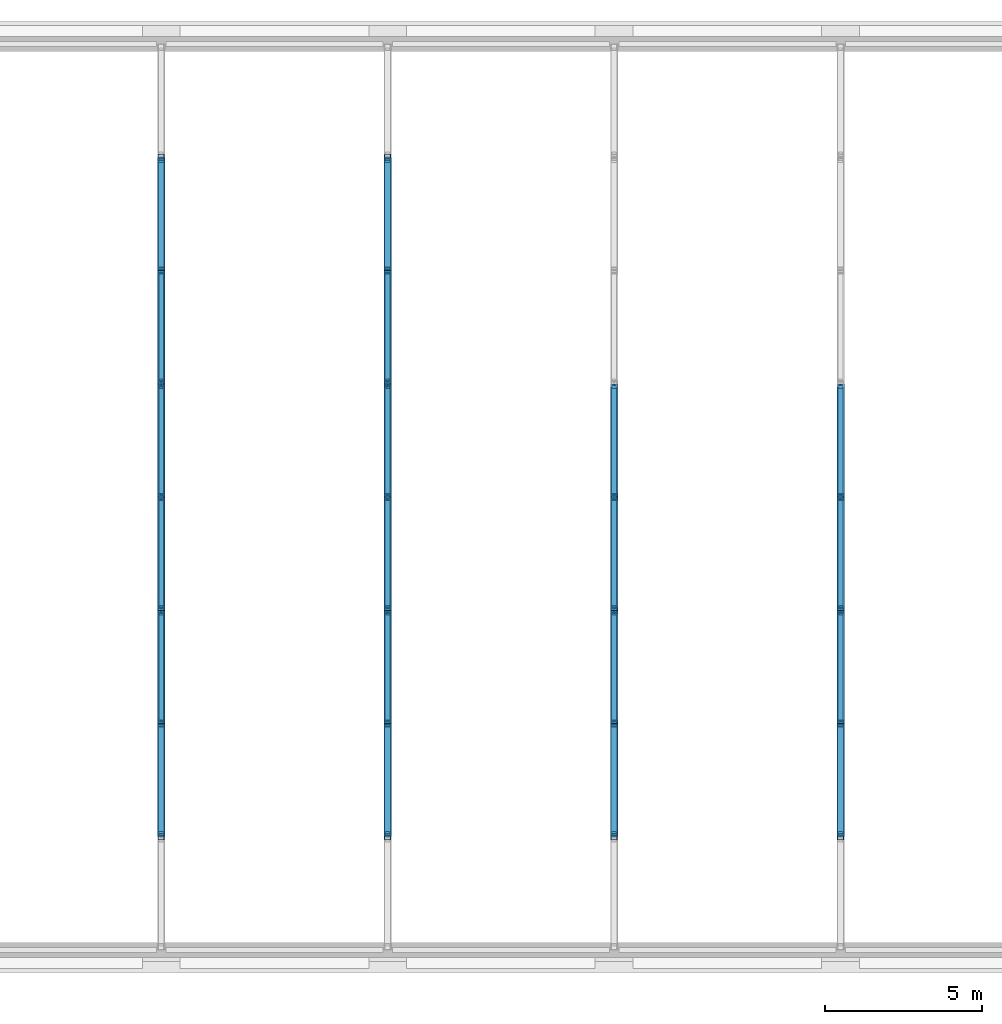
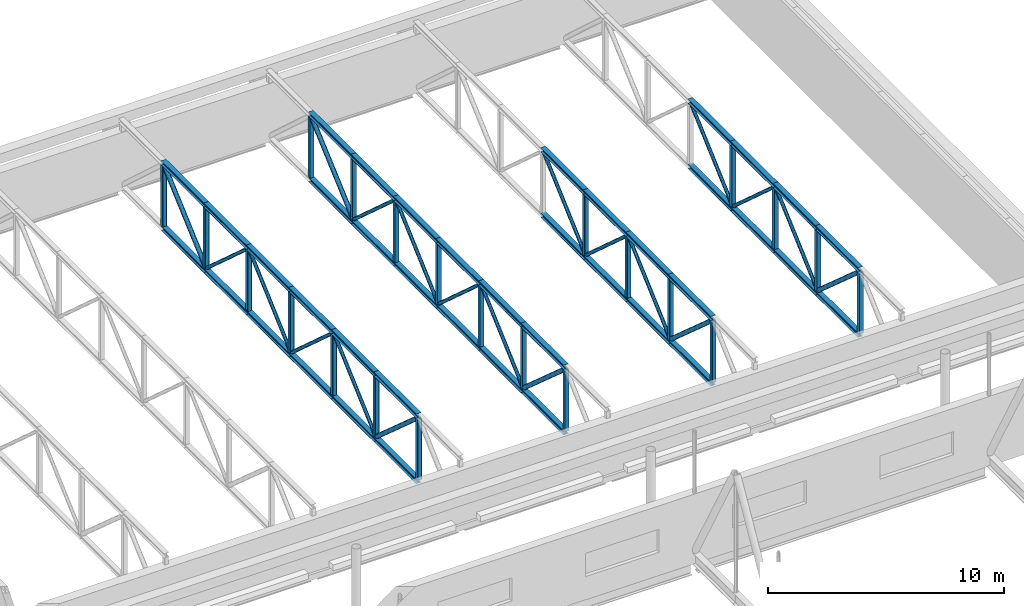
# One storey, part 77 of 142: 82 members.
"""IFC4 building model written with IfcOpenShell, lengths in metres."""

from ifc_helpers import new_model, si_unit, direction, frame, origin, origin_2d, place, context, subcontext, project, spatial, hollow_rectangle, hollow_circle, i_section, extrude, material, material_profile, profile_set, type_object, element, save


model = new_model("IFC4")

# Units and contexts
model_context = context("Model", 3, precision=1e-05, world=origin(), true_north=direction((0.0, 1.0)))
body_context = subcontext(model_context, "Body", "Model", "MODEL_VIEW")
ifc_project = project(units=[si_unit("LENGTHUNIT", "METRE"), si_unit("AREAUNIT", "SQUARE_METRE"), si_unit("VOLUMEUNIT", "CUBIC_METRE"), si_unit("PLANEANGLEUNIT", "RADIAN"), si_unit("MASSUNIT", "GRAM", prefix="KILO")], contexts=[model_context])

# Site, building, storey
site_placement = place(None, origin())
site = spatial("IfcSite", under=ifc_project, at=site_placement, CompositionType="ELEMENT")
building_placement = place(site_placement, origin())
building = spatial("IfcBuilding", under=site, at=building_placement, Name="Kupolbacken Congress Centre", CompositionType="ELEMENT")
storey_placement = place(building_placement, frame((0.0, 0.0, 14.39990234375)))
storey = spatial("IfcBuildingStorey", under=building, at=storey_placement, Name="L04", CompositionType="ELEMENT", Elevation=14.39990234375)

# Members
ifc_material_1 = material(Name="Steel S355", Category="steel")
ifc_material_profile_1 = material_profile(ifc_material_1, hollow_circle(Radius=0.109619140625, WallThickness=0.010009765625, at=origin_2d()), Name="CHS 219.1 x 10")
ifc_profile_set_1 = profile_set([ifc_material_profile_1], Name="Steel S355")
member_type_1 = type_object("IfcMemberType", Name="M05 transfer truss web CHS 219.1 x 10", PredefinedType="BRACE", material=ifc_profile_set_1)
for number, where, z_axis, x_axis, name in (
    (1, (172.800048828125, 126.10009765625, 3.2998046875), (0.0, 0.748813846758, -0.662780373053), (-1.0, 0.0, 0.0), "BT/B4/D02"),
    (2, (172.800048828125, 144.10009765625, 0.29052734375), (0.0, 0.748813846758, 0.662780373053), (-1.0, 0.0, 0.0), "BT/B4/D07"),
    (3, (180.0, 126.10009765625, 3.2998046875), (0.0, 0.748813846758, -0.662780373053), (-1.0, 0.0, 0.0), "BT/B5/D02"),
    (4, (180.0, 144.10009765625, 0.29052734375), (0.0, 0.748813846758, 0.662780373053), (-1.0, 0.0, 0.0), "BT/B5/D07"),
    (5, (187.199951171875, 126.10009765625, 3.2998046875), (0.0, 0.748813846758, -0.662780373053), (-1.0, 0.0, 0.0), "BT/B6/D02"),
    (6, (194.39990234375, 126.10009765625, 3.2998046875), (0.0, 0.748813846758, -0.662780373053), (-1.0, 0.0, 0.0), "BT/B7/D02"),
):
    element("IfcMember", number, at=place(storey_placement, frame(where, z_axis=z_axis, x_axis=x_axis)), inside=storey, type_object=member_type_1, Name=name, PredefinedType="BRACE", context=body_context, shape_type="SweptSolid", body=[
        extrude(hollow_circle(Radius=0.109619140625, WallThickness=0.010009765625, at=origin_2d()), origin(), (0.0, 0.0, 1.0), 4.540283203125),
    ])
ifc_material_2 = material(Name="Steel S355", Category="steel")
ifc_material_profile_2 = material_profile(ifc_material_2, hollow_circle(Radius=0.084228515625, WallThickness=0.008056640625, at=origin_2d()), Name="CHS 168.3 x 8")
ifc_profile_set_2 = profile_set([ifc_material_profile_2], Name="Steel S355")
member_type_2 = type_object("IfcMemberType", Name="M06 transfer truss web CHS 168.3 x 8", PredefinedType="BRACE", material=ifc_profile_set_2)
member_1_placement = place(storey_placement, frame((172.800048828125, 129.699951171875, 0.271728515625), z_axis=(0.0, 0.744762797892, 0.667329285193), x_axis=(-1.0, 0.0, 0.0)))
element("IfcMember", 7, at=member_1_placement, inside=storey, type_object=member_type_2, Name="BT/B4/D03", PredefinedType="BRACE", context=body_context, shape_type="SweptSolid", body=[
    extrude(hollow_circle(Radius=0.084228515625, WallThickness=0.008056640625, at=origin_2d()), origin(), (0.0, 0.0, 1.0), 4.5654296875),
])
member_2_placement = place(storey_placement, frame((172.800048828125, 133.300048828125, 3.318359375), z_axis=(0.0, 0.744738982007, -0.667355863598), x_axis=(-1.0, 0.0, 0.0)))
element("IfcMember", 8, at=member_2_placement, inside=storey, type_object=member_type_2, Name="BT/B4/D04", PredefinedType="BRACE", context=body_context, shape_type="SweptSolid", body=[
    extrude(hollow_circle(Radius=0.084228515625, WallThickness=0.008056640625, at=origin_2d()), origin(), (0.0, 0.0, 1.0), 4.565185546875),
])
member_3_placement = place(storey_placement, frame((172.800048828125, 136.89990234375, 0.271728515625), z_axis=(0.0, 0.744762797892, 0.667329285193), x_axis=(-1.0, 0.0, 0.0)))
element("IfcMember", 9, at=member_3_placement, inside=storey, type_object=member_type_2, Name="BT/B4/D05", PredefinedType="BRACE", context=body_context, shape_type="SweptSolid", body=[
    extrude(hollow_circle(Radius=0.084228515625, WallThickness=0.008056640625, at=origin_2d()), origin(), (0.0, 0.0, 1.0), 4.5654296875),
])
member_4_placement = place(storey_placement, frame((172.800048828125, 140.5, 3.318359375), z_axis=(0.0, 0.744738982007, -0.667355863598), x_axis=(-1.0, 0.0, 0.0)))
element("IfcMember", 10, at=member_4_placement, inside=storey, type_object=member_type_2, Name="BT/B4/D06", PredefinedType="BRACE", context=body_context, shape_type="SweptSolid", body=[
    extrude(hollow_circle(Radius=0.084228515625, WallThickness=0.008056640625, at=origin_2d()), origin(), (0.0, 0.0, 1.0), 4.565185546875),
])
member_5_placement = place(storey_placement, frame((180.0, 129.699951171875, 0.271728515625), z_axis=(0.0, 0.744762797892, 0.667329285193), x_axis=(-1.0, 0.0, 0.0)))
element("IfcMember", 11, at=member_5_placement, inside=storey, type_object=member_type_2, Name="BT/B5/D03", PredefinedType="BRACE", context=body_context, shape_type="SweptSolid", body=[
    extrude(hollow_circle(Radius=0.084228515625, WallThickness=0.008056640625, at=origin_2d()), origin(), (0.0, 0.0, 1.0), 4.5654296875),
])
member_6_placement = place(storey_placement, frame((180.0, 133.300048828125, 3.318359375), z_axis=(0.0, 0.744738982007, -0.667355863598), x_axis=(-1.0, 0.0, 0.0)))
element("IfcMember", 12, at=member_6_placement, inside=storey, type_object=member_type_2, Name="BT/B5/D04", PredefinedType="BRACE", context=body_context, shape_type="SweptSolid", body=[
    extrude(hollow_circle(Radius=0.084228515625, WallThickness=0.008056640625, at=origin_2d()), origin(), (0.0, 0.0, 1.0), 4.565185546875),
])
member_7_placement = place(storey_placement, frame((180.0, 136.89990234375, 0.271728515625), z_axis=(0.0, 0.744762797892, 0.667329285193), x_axis=(-1.0, 0.0, 0.0)))
element("IfcMember", 13, at=member_7_placement, inside=storey, type_object=member_type_2, Name="BT/B5/D05", PredefinedType="BRACE", context=body_context, shape_type="SweptSolid", body=[
    extrude(hollow_circle(Radius=0.084228515625, WallThickness=0.008056640625, at=origin_2d()), origin(), (0.0, 0.0, 1.0), 4.5654296875),
])
member_8_placement = place(storey_placement, frame((180.0, 140.5, 3.318359375), z_axis=(0.0, 0.744738982007, -0.667355863598), x_axis=(-1.0, 0.0, 0.0)))
element("IfcMember", 14, at=member_8_placement, inside=storey, type_object=member_type_2, Name="BT/B5/D06", PredefinedType="BRACE", context=body_context, shape_type="SweptSolid", body=[
    extrude(hollow_circle(Radius=0.084228515625, WallThickness=0.008056640625, at=origin_2d()), origin(), (0.0, 0.0, 1.0), 4.565185546875),
])
member_9_placement = place(storey_placement, frame((187.199951171875, 129.699951171875, 0.271728515625), z_axis=(0.0, 0.744762797892, 0.667329285193), x_axis=(-1.0, 0.0, 0.0)))
element("IfcMember", 15, at=member_9_placement, inside=storey, type_object=member_type_2, Name="BT/B6/D03", PredefinedType="BRACE", context=body_context, shape_type="SweptSolid", body=[
    extrude(hollow_circle(Radius=0.084228515625, WallThickness=0.008056640625, at=origin_2d()), origin(), (0.0, 0.0, 1.0), 4.5654296875),
])
member_10_placement = place(storey_placement, frame((187.199951171875, 133.300048828125, 3.318359375), z_axis=(0.0, 0.744738982007, -0.667355863598), x_axis=(-1.0, 0.0, 0.0)))
element("IfcMember", 16, at=member_10_placement, inside=storey, type_object=member_type_2, Name="BT/B6/D04", PredefinedType="BRACE", context=body_context, shape_type="SweptSolid", body=[
    extrude(hollow_circle(Radius=0.084228515625, WallThickness=0.008056640625, at=origin_2d()), origin(), (0.0, 0.0, 1.0), 4.565185546875),
])
for number, where, z_axis, x_axis, name in (
    (17, (187.199951171875, 136.89990234375, 0.271728515625), (0.0, 0.744762797892, 0.667329285193), (-1.0, 0.0, 0.0), "BT/B6/D05"),
    (18, (194.39990234375, 129.699951171875, 0.271728515625), (0.0, 0.744762797892, 0.667329285193), (-1.0, 0.0, 0.0), "BT/B7/D03"),
):
    element("IfcMember", number, at=place(storey_placement, frame(where, z_axis=z_axis, x_axis=x_axis)), inside=storey, type_object=member_type_2, Name=name, PredefinedType="BRACE", context=body_context, shape_type="SweptSolid", body=[
        extrude(hollow_circle(Radius=0.084228515625, WallThickness=0.008056640625, at=origin_2d()), origin(), (0.0, 0.0, 1.0), 4.5654296875),
    ])
member_11_placement = place(storey_placement, frame((194.39990234375, 133.300048828125, 3.318359375), z_axis=(0.0, 0.744738982007, -0.667355863598), x_axis=(-1.0, 0.0, 0.0)))
element("IfcMember", 19, at=member_11_placement, inside=storey, type_object=member_type_2, Name="BT/B7/D04", PredefinedType="BRACE", context=body_context, shape_type="SweptSolid", body=[
    extrude(hollow_circle(Radius=0.084228515625, WallThickness=0.008056640625, at=origin_2d()), origin(), (0.0, 0.0, 1.0), 4.565185546875),
])
member_12_placement = place(storey_placement, frame((194.39990234375, 136.89990234375, 0.271728515625), z_axis=(0.0, 0.744762797892, 0.667329285193), x_axis=(-1.0, 0.0, 0.0)))
element("IfcMember", 20, at=member_12_placement, inside=storey, type_object=member_type_2, Name="BT/B7/D05", PredefinedType="BRACE", context=body_context, shape_type="SweptSolid", body=[
    extrude(hollow_circle(Radius=0.084228515625, WallThickness=0.008056640625, at=origin_2d()), origin(), (0.0, 0.0, 1.0), 4.5654296875),
])
ifc_material_3 = material(Name="Steel S355", Category="steel")
ifc_material_profile_3 = material_profile(ifc_material_3, i_section(OverallWidth=0.239990234375, OverallDepth=0.22998046875, WebThickness=0.007568359375, FlangeThickness=0.011962890625, FilletRadius=0.02099609375, at=origin_2d()), Name="HEA 240")
ifc_profile_set_3 = profile_set([ifc_material_profile_3], Name="Steel S355")
member_type_3 = type_object("IfcMemberType", Name="M07 transfer truss chord HEA 240", PredefinedType="CHORD", material=ifc_profile_set_3)
for number, where, z_axis, x_axis, name in (
    (21, (172.800048828125, 126.0, 0.10498046875), (0.0, 1.0, 0.0), (-1.0, 0.0, 0.0), "BT/B4/BC02"),
    (22, (172.800048828125, 126.0, 3.485107421875), (0.0, 1.0, 0.0), (-1.0, 0.0, 0.0), "BT/B4/TC02"),
):
    element("IfcMember", number, at=place(storey_placement, frame(where, z_axis=z_axis, x_axis=x_axis)), inside=storey, type_object=member_type_3, Name=name, PredefinedType="CHORD", context=body_context, shape_type="SweptSolid", body=[
        extrude(i_section(OverallWidth=0.239990234375, OverallDepth=0.22998046875, WebThickness=0.007568359375, FlangeThickness=0.011962890625, FilletRadius=0.02099609375, at=origin_2d()), origin(), (0.0, 0.0, 1.0), 3.60009765625),
    ])
for number, where, z_axis, x_axis, name in (
    (23, (172.800048828125, 129.60009765625, 0.10498046875), (0.0, 1.0, 0.0), (-1.0, 0.0, 0.0), "BT/B4/BC03"),
    (24, (172.800048828125, 129.60009765625, 3.485107421875), (0.0, 1.0, 0.0), (-1.0, 0.0, 0.0), "BT/B4/TC03"),
):
    element("IfcMember", number, at=place(storey_placement, frame(where, z_axis=z_axis, x_axis=x_axis)), inside=storey, type_object=member_type_3, Name=name, PredefinedType="CHORD", context=body_context, shape_type="SweptSolid", body=[
        extrude(i_section(OverallWidth=0.239990234375, OverallDepth=0.22998046875, WebThickness=0.007568359375, FlangeThickness=0.011962890625, FilletRadius=0.02099609375, at=origin_2d()), origin(), (0.0, 0.0, 1.0), 3.599853515625),
    ])
for number, where, z_axis, x_axis, name in (
    (25, (172.800048828125, 133.199951171875, 0.10498046875), (0.0, 1.0, 0.0), (-1.0, 0.0, 0.0), "BT/B4/BC04"),
    (26, (172.800048828125, 133.199951171875, 3.485107421875), (0.0, 1.0, 0.0), (-1.0, 0.0, 0.0), "BT/B4/TC04"),
):
    element("IfcMember", number, at=place(storey_placement, frame(where, z_axis=z_axis, x_axis=x_axis)), inside=storey, type_object=member_type_3, Name=name, PredefinedType="CHORD", context=body_context, shape_type="SweptSolid", body=[
        extrude(i_section(OverallWidth=0.239990234375, OverallDepth=0.22998046875, WebThickness=0.007568359375, FlangeThickness=0.011962890625, FilletRadius=0.02099609375, at=origin_2d()), origin(), (0.0, 0.0, 1.0), 3.60009765625),
    ])
for number, where, z_axis, x_axis, name in (
    (27, (172.800048828125, 136.800048828125, 0.10498046875), (0.0, 1.0, 0.0), (-1.0, 0.0, 0.0), "BT/B4/BC05"),
    (28, (172.800048828125, 136.800048828125, 3.485107421875), (0.0, 1.0, 0.0), (-1.0, 0.0, 0.0), "BT/B4/TC05"),
):
    element("IfcMember", number, at=place(storey_placement, frame(where, z_axis=z_axis, x_axis=x_axis)), inside=storey, type_object=member_type_3, Name=name, PredefinedType="CHORD", context=body_context, shape_type="SweptSolid", body=[
        extrude(i_section(OverallWidth=0.239990234375, OverallDepth=0.22998046875, WebThickness=0.007568359375, FlangeThickness=0.011962890625, FilletRadius=0.02099609375, at=origin_2d()), origin(), (0.0, 0.0, 1.0), 3.599853515625),
    ])
for number, where, z_axis, x_axis, name in (
    (29, (172.800048828125, 140.39990234375, 0.10498046875), (0.0, 1.0, 0.0), (-1.0, 0.0, 0.0), "BT/B4/BC06"),
    (30, (172.800048828125, 140.39990234375, 3.485107421875), (0.0, 1.0, 0.0), (-1.0, 0.0, 0.0), "BT/B4/TC06"),
    (31, (172.800048828125, 144.0, 0.10498046875), (0.0, 1.0, 0.0), (-1.0, 0.0, 0.0), "BT/B4/BC07"),
    (32, (172.800048828125, 144.0, 3.485107421875), (0.0, 1.0, 0.0), (-1.0, 0.0, 0.0), "BT/B4/TC07"),
    (33, (180.0, 126.0, 0.10498046875), (0.0, 1.0, 0.0), (-1.0, 0.0, 0.0), "BT/B5/BC02"),
    (34, (180.0, 126.0, 3.485107421875), (0.0, 1.0, 0.0), (-1.0, 0.0, 0.0), "BT/B5/TC02"),
):
    element("IfcMember", number, at=place(storey_placement, frame(where, z_axis=z_axis, x_axis=x_axis)), inside=storey, type_object=member_type_3, Name=name, PredefinedType="CHORD", context=body_context, shape_type="SweptSolid", body=[
        extrude(i_section(OverallWidth=0.239990234375, OverallDepth=0.22998046875, WebThickness=0.007568359375, FlangeThickness=0.011962890625, FilletRadius=0.02099609375, at=origin_2d()), origin(), (0.0, 0.0, 1.0), 3.60009765625),
    ])
for number, where, z_axis, x_axis, name in (
    (35, (180.0, 129.60009765625, 0.10498046875), (0.0, 1.0, 0.0), (-1.0, 0.0, 0.0), "BT/B5/BC03"),
    (36, (180.0, 129.60009765625, 3.485107421875), (0.0, 1.0, 0.0), (-1.0, 0.0, 0.0), "BT/B5/TC03"),
):
    element("IfcMember", number, at=place(storey_placement, frame(where, z_axis=z_axis, x_axis=x_axis)), inside=storey, type_object=member_type_3, Name=name, PredefinedType="CHORD", context=body_context, shape_type="SweptSolid", body=[
        extrude(i_section(OverallWidth=0.239990234375, OverallDepth=0.22998046875, WebThickness=0.007568359375, FlangeThickness=0.011962890625, FilletRadius=0.02099609375, at=origin_2d()), origin(), (0.0, 0.0, 1.0), 3.599853515625),
    ])
for number, where, z_axis, x_axis, name in (
    (37, (180.0, 133.199951171875, 0.10498046875), (0.0, 1.0, 0.0), (-1.0, 0.0, 0.0), "BT/B5/BC04"),
    (38, (180.0, 133.199951171875, 3.485107421875), (0.0, 1.0, 0.0), (-1.0, 0.0, 0.0), "BT/B5/TC04"),
):
    element("IfcMember", number, at=place(storey_placement, frame(where, z_axis=z_axis, x_axis=x_axis)), inside=storey, type_object=member_type_3, Name=name, PredefinedType="CHORD", context=body_context, shape_type="SweptSolid", body=[
        extrude(i_section(OverallWidth=0.239990234375, OverallDepth=0.22998046875, WebThickness=0.007568359375, FlangeThickness=0.011962890625, FilletRadius=0.02099609375, at=origin_2d()), origin(), (0.0, 0.0, 1.0), 3.60009765625),
    ])
for number, where, z_axis, x_axis, name in (
    (39, (180.0, 136.800048828125, 0.10498046875), (0.0, 1.0, 0.0), (-1.0, 0.0, 0.0), "BT/B5/BC05"),
    (40, (180.0, 136.800048828125, 3.485107421875), (0.0, 1.0, 0.0), (-1.0, 0.0, 0.0), "BT/B5/TC05"),
):
    element("IfcMember", number, at=place(storey_placement, frame(where, z_axis=z_axis, x_axis=x_axis)), inside=storey, type_object=member_type_3, Name=name, PredefinedType="CHORD", context=body_context, shape_type="SweptSolid", body=[
        extrude(i_section(OverallWidth=0.239990234375, OverallDepth=0.22998046875, WebThickness=0.007568359375, FlangeThickness=0.011962890625, FilletRadius=0.02099609375, at=origin_2d()), origin(), (0.0, 0.0, 1.0), 3.599853515625),
    ])
for number, where, z_axis, x_axis, name in (
    (41, (180.0, 140.39990234375, 0.10498046875), (0.0, 1.0, 0.0), (-1.0, 0.0, 0.0), "BT/B5/BC06"),
    (42, (180.0, 140.39990234375, 3.485107421875), (0.0, 1.0, 0.0), (-1.0, 0.0, 0.0), "BT/B5/TC06"),
    (43, (180.0, 144.0, 0.10498046875), (0.0, 1.0, 0.0), (-1.0, 0.0, 0.0), "BT/B5/BC07"),
    (44, (180.0, 144.0, 3.485107421875), (0.0, 1.0, 0.0), (-1.0, 0.0, 0.0), "BT/B5/TC07"),
    (45, (187.199951171875, 126.0, 0.10498046875), (0.0, 1.0, 0.0), (-1.0, 0.0, 0.0), "BT/B6/BC02"),
    (46, (187.199951171875, 126.0, 3.485107421875), (0.0, 1.0, 0.0), (-1.0, 0.0, 0.0), "BT/B6/TC02"),
):
    element("IfcMember", number, at=place(storey_placement, frame(where, z_axis=z_axis, x_axis=x_axis)), inside=storey, type_object=member_type_3, Name=name, PredefinedType="CHORD", context=body_context, shape_type="SweptSolid", body=[
        extrude(i_section(OverallWidth=0.239990234375, OverallDepth=0.22998046875, WebThickness=0.007568359375, FlangeThickness=0.011962890625, FilletRadius=0.02099609375, at=origin_2d()), origin(), (0.0, 0.0, 1.0), 3.60009765625),
    ])
for number, where, z_axis, x_axis, name in (
    (47, (187.199951171875, 129.60009765625, 0.10498046875), (0.0, 1.0, 0.0), (-1.0, 0.0, 0.0), "BT/B6/BC03"),
    (48, (187.199951171875, 129.60009765625, 3.485107421875), (0.0, 1.0, 0.0), (-1.0, 0.0, 0.0), "BT/B6/TC03"),
):
    element("IfcMember", number, at=place(storey_placement, frame(where, z_axis=z_axis, x_axis=x_axis)), inside=storey, type_object=member_type_3, Name=name, PredefinedType="CHORD", context=body_context, shape_type="SweptSolid", body=[
        extrude(i_section(OverallWidth=0.239990234375, OverallDepth=0.22998046875, WebThickness=0.007568359375, FlangeThickness=0.011962890625, FilletRadius=0.02099609375, at=origin_2d()), origin(), (0.0, 0.0, 1.0), 3.599853515625),
    ])
for number, where, z_axis, x_axis, name in (
    (49, (187.199951171875, 133.199951171875, 0.10498046875), (0.0, 1.0, 0.0), (-1.0, 0.0, 0.0), "BT/B6/BC04"),
    (50, (187.199951171875, 133.199951171875, 3.485107421875), (0.0, 1.0, 0.0), (-1.0, 0.0, 0.0), "BT/B6/TC04"),
):
    element("IfcMember", number, at=place(storey_placement, frame(where, z_axis=z_axis, x_axis=x_axis)), inside=storey, type_object=member_type_3, Name=name, PredefinedType="CHORD", context=body_context, shape_type="SweptSolid", body=[
        extrude(i_section(OverallWidth=0.239990234375, OverallDepth=0.22998046875, WebThickness=0.007568359375, FlangeThickness=0.011962890625, FilletRadius=0.02099609375, at=origin_2d()), origin(), (0.0, 0.0, 1.0), 3.60009765625),
    ])
for number, where, z_axis, x_axis, name in (
    (51, (187.199951171875, 136.800048828125, 0.10498046875), (0.0, 1.0, 0.0), (-1.0, 0.0, 0.0), "BT/B6/BC05"),
    (52, (187.199951171875, 136.800048828125, 3.485107421875), (0.0, 1.0, 0.0), (-1.0, 0.0, 0.0), "BT/B6/TC05"),
):
    element("IfcMember", number, at=place(storey_placement, frame(where, z_axis=z_axis, x_axis=x_axis)), inside=storey, type_object=member_type_3, Name=name, PredefinedType="CHORD", context=body_context, shape_type="SweptSolid", body=[
        extrude(i_section(OverallWidth=0.239990234375, OverallDepth=0.22998046875, WebThickness=0.007568359375, FlangeThickness=0.011962890625, FilletRadius=0.02099609375, at=origin_2d()), origin(), (0.0, 0.0, 1.0), 3.599853515625),
    ])
for number, where, z_axis, x_axis, name in (
    (53, (194.39990234375, 126.0, 0.10498046875), (0.0, 1.0, 0.0), (-1.0, 0.0, 0.0), "BT/B7/BC02"),
    (54, (194.39990234375, 126.0, 3.485107421875), (0.0, 1.0, 0.0), (-1.0, 0.0, 0.0), "BT/B7/TC02"),
):
    element("IfcMember", number, at=place(storey_placement, frame(where, z_axis=z_axis, x_axis=x_axis)), inside=storey, type_object=member_type_3, Name=name, PredefinedType="CHORD", context=body_context, shape_type="SweptSolid", body=[
        extrude(i_section(OverallWidth=0.239990234375, OverallDepth=0.22998046875, WebThickness=0.007568359375, FlangeThickness=0.011962890625, FilletRadius=0.02099609375, at=origin_2d()), origin(), (0.0, 0.0, 1.0), 3.60009765625),
    ])
for number, where, z_axis, x_axis, name in (
    (55, (194.39990234375, 129.60009765625, 0.10498046875), (0.0, 1.0, 0.0), (-1.0, 0.0, 0.0), "BT/B7/BC03"),
    (56, (194.39990234375, 129.60009765625, 3.485107421875), (0.0, 1.0, 0.0), (-1.0, 0.0, 0.0), "BT/B7/TC03"),
):
    element("IfcMember", number, at=place(storey_placement, frame(where, z_axis=z_axis, x_axis=x_axis)), inside=storey, type_object=member_type_3, Name=name, PredefinedType="CHORD", context=body_context, shape_type="SweptSolid", body=[
        extrude(i_section(OverallWidth=0.239990234375, OverallDepth=0.22998046875, WebThickness=0.007568359375, FlangeThickness=0.011962890625, FilletRadius=0.02099609375, at=origin_2d()), origin(), (0.0, 0.0, 1.0), 3.599853515625),
    ])
for number, where, z_axis, x_axis, name in (
    (57, (194.39990234375, 133.199951171875, 0.10498046875), (0.0, 1.0, 0.0), (-1.0, 0.0, 0.0), "BT/B7/BC04"),
    (58, (194.39990234375, 133.199951171875, 3.485107421875), (0.0, 1.0, 0.0), (-1.0, 0.0, 0.0), "BT/B7/TC04"),
):
    element("IfcMember", number, at=place(storey_placement, frame(where, z_axis=z_axis, x_axis=x_axis)), inside=storey, type_object=member_type_3, Name=name, PredefinedType="CHORD", context=body_context, shape_type="SweptSolid", body=[
        extrude(i_section(OverallWidth=0.239990234375, OverallDepth=0.22998046875, WebThickness=0.007568359375, FlangeThickness=0.011962890625, FilletRadius=0.02099609375, at=origin_2d()), origin(), (0.0, 0.0, 1.0), 3.60009765625),
    ])
for number, where, z_axis, x_axis, name in (
    (59, (194.39990234375, 136.800048828125, 0.10498046875), (0.0, 1.0, 0.0), (-1.0, 0.0, 0.0), "BT/B7/BC05"),
    (60, (194.39990234375, 136.800048828125, 3.485107421875), (0.0, 1.0, 0.0), (-1.0, 0.0, 0.0), "BT/B7/TC05"),
):
    element("IfcMember", number, at=place(storey_placement, frame(where, z_axis=z_axis, x_axis=x_axis)), inside=storey, type_object=member_type_3, Name=name, PredefinedType="CHORD", context=body_context, shape_type="SweptSolid", body=[
        extrude(i_section(OverallWidth=0.239990234375, OverallDepth=0.22998046875, WebThickness=0.007568359375, FlangeThickness=0.011962890625, FilletRadius=0.02099609375, at=origin_2d()), origin(), (0.0, 0.0, 1.0), 3.599853515625),
    ])
ifc_material_4 = material(Name="Steel S355", Category="steel")
ifc_material_profile_4 = material_profile(ifc_material_4, hollow_rectangle(XDim=0.199951171875, YDim=0.199951171875, WallThickness=0.010009765625, InnerFilletRadius=0.010009765625, OuterFilletRadius=0.014892578125, at=origin_2d()), Name="SHS 200 x 200 x 10")
ifc_profile_set_4 = profile_set([ifc_material_profile_4], Name="Steel S355")
member_type_4 = type_object("IfcMemberType", Name="M10 transfer truss post SHS 200 x 200 x 10", PredefinedType="STRUT", material=ifc_profile_set_4)
for number, where, z_axis, x_axis, name in (
    (61, (172.800048828125, 126.0, 0.210205078125), (0.0, 0.0, 1.0), (0.0, 1.0, 0.0), "BT/B4/P01"),
    (62, (172.800048828125, 129.60009765625, 0.210205078125), (0.0, 0.0, 1.0), (0.0, 1.0, 0.0), "BT/B4/P02"),
    (63, (172.800048828125, 133.199951171875, 0.210205078125), (0.0, 0.0, 1.0), (0.0, 1.0, 0.0), "BT/B4/P03"),
    (64, (172.800048828125, 136.800048828125, 0.210205078125), (0.0, 0.0, 1.0), (0.0, 1.0, 0.0), "BT/B4/P04"),
    (65, (172.800048828125, 140.39990234375, 0.210205078125), (0.0, 0.0, 1.0), (0.0, 1.0, 0.0), "BT/B4/P05"),
    (66, (172.800048828125, 144.0, 0.210205078125), (0.0, 0.0, 1.0), (0.0, 1.0, 0.0), "BT/B4/P06"),
    (67, (172.800048828125, 147.60009765625, 0.210205078125), (0.0, 0.0, 1.0), (0.0, 1.0, 0.0), "BT/B4/P07"),
    (68, (180.0, 126.0, 0.210205078125), (0.0, 0.0, 1.0), (0.0, 1.0, 0.0), "BT/B5/P01"),
    (69, (180.0, 129.60009765625, 0.210205078125), (0.0, 0.0, 1.0), (0.0, 1.0, 0.0), "BT/B5/P02"),
    (70, (180.0, 133.199951171875, 0.210205078125), (0.0, 0.0, 1.0), (0.0, 1.0, 0.0), "BT/B5/P03"),
    (71, (180.0, 136.800048828125, 0.210205078125), (0.0, 0.0, 1.0), (0.0, 1.0, 0.0), "BT/B5/P04"),
    (72, (180.0, 140.39990234375, 0.210205078125), (0.0, 0.0, 1.0), (0.0, 1.0, 0.0), "BT/B5/P05"),
    (73, (180.0, 144.0, 0.210205078125), (0.0, 0.0, 1.0), (0.0, 1.0, 0.0), "BT/B5/P06"),
    (74, (180.0, 147.60009765625, 0.210205078125), (0.0, 0.0, 1.0), (0.0, 1.0, 0.0), "BT/B5/P07"),
    (75, (187.199951171875, 126.0, 0.210205078125), (0.0, 0.0, 1.0), (0.0, 1.0, 0.0), "BT/B6/P01"),
    (76, (187.199951171875, 129.60009765625, 0.210205078125), (0.0, 0.0, 1.0), (0.0, 1.0, 0.0), "BT/B6/P02"),
    (77, (187.199951171875, 133.199951171875, 0.210205078125), (0.0, 0.0, 1.0), (0.0, 1.0, 0.0), "BT/B6/P03"),
    (78, (187.199951171875, 136.800048828125, 0.210205078125), (0.0, 0.0, 1.0), (0.0, 1.0, 0.0), "BT/B6/P04"),
    (79, (194.39990234375, 126.0, 0.210205078125), (0.0, 0.0, 1.0), (0.0, 1.0, 0.0), "BT/B7/P01"),
    (80, (194.39990234375, 129.60009765625, 0.210205078125), (0.0, 0.0, 1.0), (0.0, 1.0, 0.0), "BT/B7/P02"),
    (81, (194.39990234375, 133.199951171875, 0.210205078125), (0.0, 0.0, 1.0), (0.0, 1.0, 0.0), "BT/B7/P03"),
    (82, (194.39990234375, 136.800048828125, 0.210205078125), (0.0, 0.0, 1.0), (0.0, 1.0, 0.0), "BT/B7/P04"),
):
    element("IfcMember", number, at=place(storey_placement, frame(where, z_axis=z_axis, x_axis=x_axis)), inside=storey, type_object=member_type_4, Name=name, PredefinedType="STRUT", context=body_context, shape_type="SweptSolid", body=[
        extrude(hollow_rectangle(XDim=0.199951171875, YDim=0.199951171875, WallThickness=0.010009765625, InnerFilletRadius=0.010009765625, OuterFilletRadius=0.014892578125, at=origin_2d()), origin(), (0.0, 0.0, 1.0), 3.169921875),
    ])

save(model, "model.ifc")
